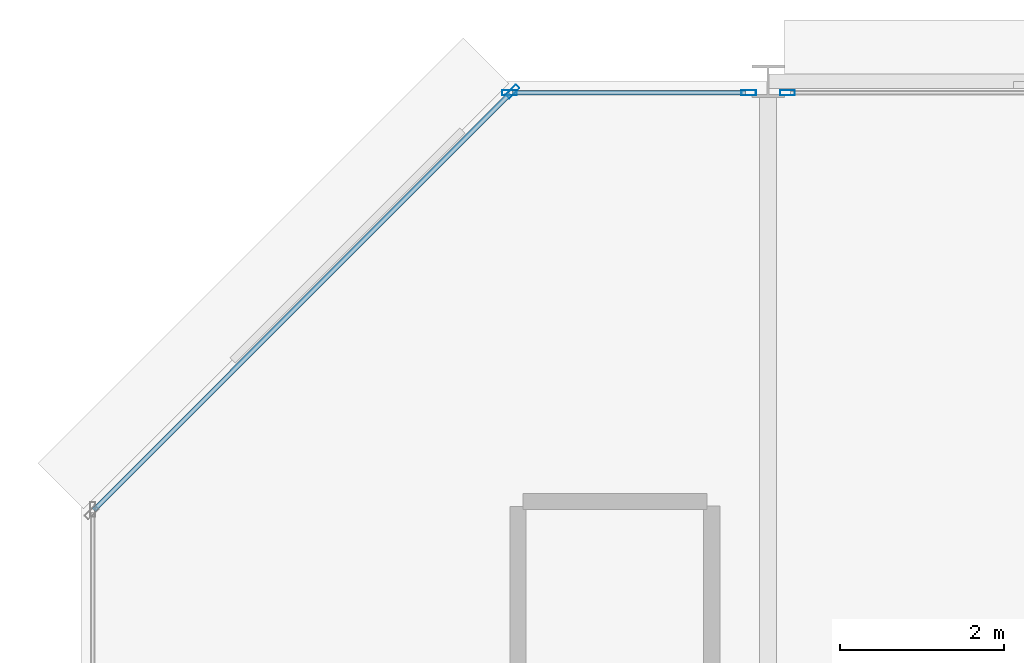
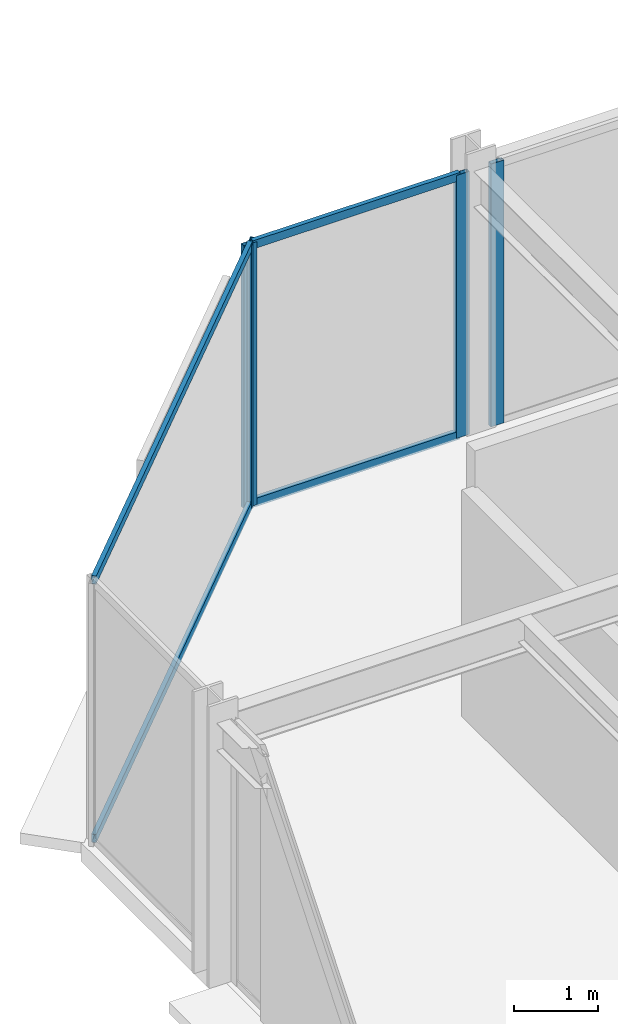
# One storey, part 21 of 30: 8 members, 3 elements without a shape of their own.
"""IFC4 building model written with IfcOpenShell, lengths in metres."""

from ifc_helpers import new_model, si_unit, direction, frame, origin, origin_2d, place, context, subcontext, project, spatial, hollow_rectangle, extrude, material, layer, layer_set, material_profile, profile_set, type_object, element, aggregate, save


model = new_model("IFC4")

# Units and contexts
model_context = context("Model", 3, precision=1e-05, world=origin(), true_north=direction((0.0, 1.0)))
body_context = subcontext(model_context, "Body", "Model", "MODEL_VIEW")
ifc_project = project(units=[si_unit("LENGTHUNIT", "METRE"), si_unit("AREAUNIT", "SQUARE_METRE"), si_unit("VOLUMEUNIT", "CUBIC_METRE"), si_unit("PLANEANGLEUNIT", "RADIAN"), si_unit("MASSUNIT", "GRAM", prefix="KILO")], contexts=[model_context])

# Site, building, storey
site_placement = place(None, origin())
site = spatial("IfcSite", under=ifc_project, at=site_placement, CompositionType="ELEMENT")
building_placement = place(site_placement, origin())
building = spatial("IfcBuilding", under=site, at=building_placement, Name="Nerrivon Quay Data Exchange", CompositionType="ELEMENT")
storey_placement = place(building_placement, frame((0.0, 0.0, 117.199951171875)))
storey = spatial("IfcBuildingStorey", under=building, at=storey_placement, Name="L27", CompositionType="ELEMENT", Elevation=117.199951171875)

# Curtain wall, member
ifc_material = material(Name="Anodised aluminium 6063-T6", Category="aluminium")
ifc_layer = layer(ifc_material, 0.2099609375)
ifc_layer_set = layer_set([ifc_layer], Name="Anodised aluminium 6063-T6")
curtain_wall_type = type_object("IfcCurtainWallType", Name="CW-SYS-02", PredefinedType="NOTDEFINED", material=ifc_layer_set)
curtain_wall_1_placement = place(storey_placement, origin())
curtain_wall_1 = element("IfcCurtainWall", 1, at=curtain_wall_1_placement, inside=storey, type_object=curtain_wall_type, Name="L27 Unitised Curtain Wall 17", PredefinedType="NOTDEFINED")
ifc_material_profile_1 = material_profile(ifc_material, hollow_rectangle(XDim=0.06494140625, YDim=0.179931640625, WallThickness=0.00341796875, at=origin_2d()), Name="ALU-MULL-180x65")
ifc_profile_set_1 = profile_set([ifc_material_profile_1], Name="Anodised aluminium 6063-T6")
member_type_1 = type_object("IfcMemberType", Name="CWM-180x65", PredefinedType="MULLION", material=ifc_profile_set_1)
member_1_placement = place(storey_placement, frame((5.2724609375, 50.2744140625, 0.0), z_axis=(0.0, 0.0, 1.0), x_axis=(-0.707106781187, 0.707106781187, 0.0)))
member_1 = element("IfcMember", 2, at=member_1_placement, type_object=member_type_1, Name="CW02 mullion 2", PredefinedType="MULLION", context=body_context, shape_type="SweptSolid", body=[
    extrude(hollow_rectangle(XDim=0.06494140625, YDim=0.179931640625, WallThickness=0.00341796875, at=origin_2d()), origin(), (0.0, 0.0, 1.0), 3.824951171875),
])

# Curtain wall, members
curtain_wall_2_placement = place(storey_placement, origin())
curtain_wall_2 = element("IfcCurtainWall", 3, at=curtain_wall_2_placement, inside=storey, type_object=curtain_wall_type, Name="L27 Unitised Curtain Wall 18", PredefinedType="NOTDEFINED")
member_2_placement = place(storey_placement, frame((5.237548828125, 50.260009765625, 0.0), z_axis=(0.0, 0.0, 1.0), x_axis=(0.0, 1.0, 0.0)))
member_2 = element("IfcMember", 4, at=member_2_placement, type_object=member_type_1, Name="CW02 mullion 1", PredefinedType="MULLION", context=body_context, shape_type="SweptSolid", body=[
    extrude(hollow_rectangle(XDim=0.06494140625, YDim=0.179931640625, WallThickness=0.00341796875, at=origin_2d()), origin(), (0.0, 0.0, 1.0), 3.824951171875),
])
member_3_placement = place(storey_placement, frame((8.16259765625, 50.260009765625, 0.0), z_axis=(0.0, 0.0, 1.0), x_axis=(0.0, 1.0, 0.0)))
member_3 = element("IfcMember", 5, at=member_3_placement, type_object=member_type_1, Name="CW02 mullion 2", PredefinedType="MULLION", context=body_context, shape_type="SweptSolid", body=[
    extrude(hollow_rectangle(XDim=0.06494140625, YDim=0.179931640625, WallThickness=0.00341796875, at=origin_2d()), origin(), (0.0, 0.0, 1.0), 3.824951171875),
])

# Curtain wall, member
curtain_wall_3_placement = place(storey_placement, origin())
curtain_wall_3 = element("IfcCurtainWall", 6, at=curtain_wall_3_placement, inside=storey, type_object=curtain_wall_type, Name="L27 Unitised Curtain Wall 19", PredefinedType="NOTDEFINED")
member_4_placement = place(storey_placement, frame((8.637451171875, 50.260009765625, 0.0), z_axis=(0.0, 0.0, 1.0), x_axis=(0.0, 1.0, 0.0)))
member_4 = element("IfcMember", 7, at=member_4_placement, type_object=member_type_1, Name="CW02 mullion 1", PredefinedType="MULLION", context=body_context, shape_type="SweptSolid", body=[
    extrude(hollow_rectangle(XDim=0.06494140625, YDim=0.179931640625, WallThickness=0.00341796875, at=origin_2d()), origin(), (0.0, 0.0, 1.0), 3.824951171875),
])
aggregate(curtain_wall_3, [member_4])

# Member
ifc_material_profile_2 = material_profile(ifc_material, hollow_rectangle(XDim=0.06005859375, YDim=0.1201171875, WallThickness=0.003173828125, at=origin_2d()), Name="ALU-TRAN-120x60")
ifc_profile_set_2 = profile_set([ifc_material_profile_2], Name="Anodised aluminium 6063-T6")
member_type_2 = type_object("IfcMemberType", Name="CWT-120x60", PredefinedType="USERDEFINED", material=ifc_profile_set_2)
member_5_placement = place(storey_placement, frame((0.152099609375, 45.154052734375, 0.032470703125), z_axis=(0.707089835771, 0.707123726196, 0.0), x_axis=(-0.707123726196, 0.707089835771, 0.0)))
member_5 = element("IfcMember", 8, at=member_5_placement, type_object=member_type_2, Name="CW02 transom 1.1", ObjectType="TRANSOM", PredefinedType="USERDEFINED", context=body_context, shape_type="SweptSolid", body=[
    extrude(hollow_rectangle(XDim=0.06005859375, YDim=0.1201171875, WallThickness=0.003173828125, at=origin_2d()), origin(), (0.0, 0.0, 1.0), 7.203857421875),
])

member_6_placement = place(storey_placement, frame((0.152099609375, 45.154052734375, 3.79248046875), z_axis=(0.707089835771, 0.707123726196, 0.0), x_axis=(-0.707123726196, 0.707089835771, 0.0)))
member_6 = element("IfcMember", 9, at=member_6_placement, type_object=member_type_2, Name="CW02 transom 1.2", ObjectType="TRANSOM", PredefinedType="USERDEFINED", context=body_context, shape_type="SweptSolid", body=[
    extrude(hollow_rectangle(XDim=0.06005859375, YDim=0.1201171875, WallThickness=0.003173828125, at=origin_2d()), origin(), (0.0, 0.0, 1.0), 7.203857421875),
])

aggregate(curtain_wall_1, [member_1, member_5, member_6])

member_7_placement = place(storey_placement, frame((5.27490234375, 50.260009765625, 0.032470703125), z_axis=(1.0, 0.0, 0.0), x_axis=(0.0, 1.0, 0.0)))
member_7 = element("IfcMember", 10, at=member_7_placement, type_object=member_type_2, Name="CW02 transom 1.1", ObjectType="TRANSOM", PredefinedType="USERDEFINED", context=body_context, shape_type="SweptSolid", body=[
    extrude(hollow_rectangle(XDim=0.06005859375, YDim=0.1201171875, WallThickness=0.003173828125, at=origin_2d()), origin(), (0.0, 0.0, 1.0), 2.85009765625),
])

member_8_placement = place(storey_placement, frame((5.27490234375, 50.260009765625, 3.79248046875), z_axis=(1.0, 0.0, 0.0), x_axis=(0.0, 1.0, 0.0)))
member_8 = element("IfcMember", 11, at=member_8_placement, type_object=member_type_2, Name="CW02 transom 1.2", ObjectType="TRANSOM", PredefinedType="USERDEFINED", context=body_context, shape_type="SweptSolid", body=[
    extrude(hollow_rectangle(XDim=0.06005859375, YDim=0.1201171875, WallThickness=0.003173828125, at=origin_2d()), origin(), (0.0, 0.0, 1.0), 2.85009765625),
])

aggregate(curtain_wall_2, [member_2, member_3, member_7, member_8])

save(model, "model.ifc")
